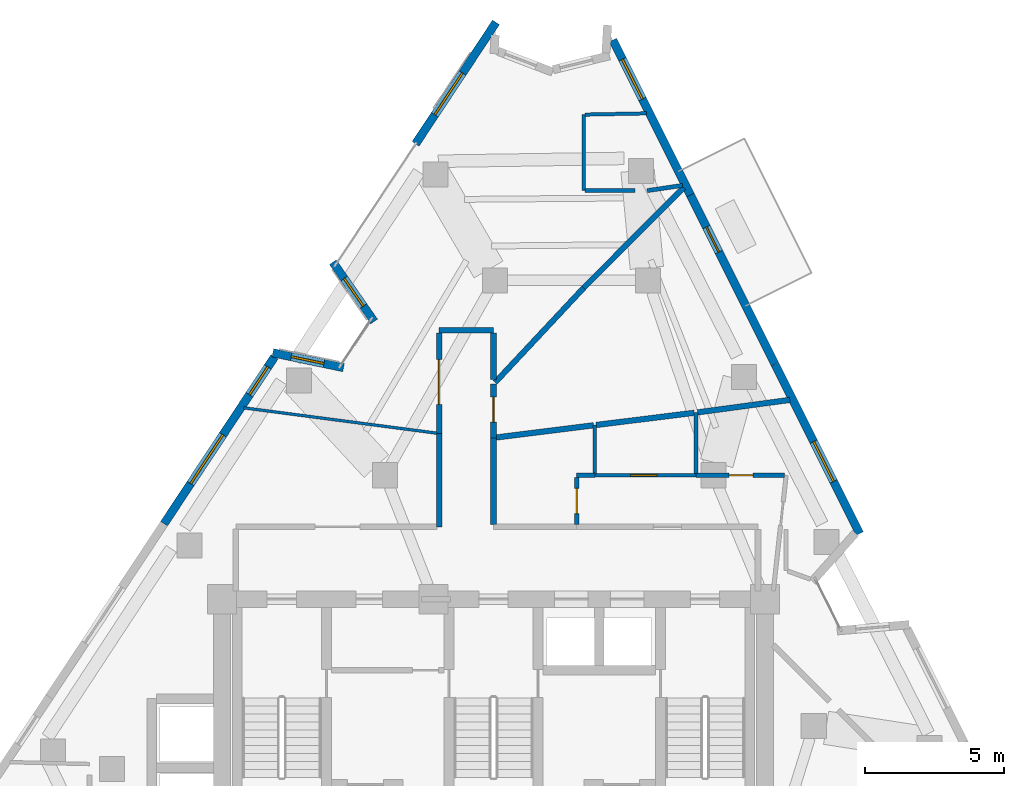
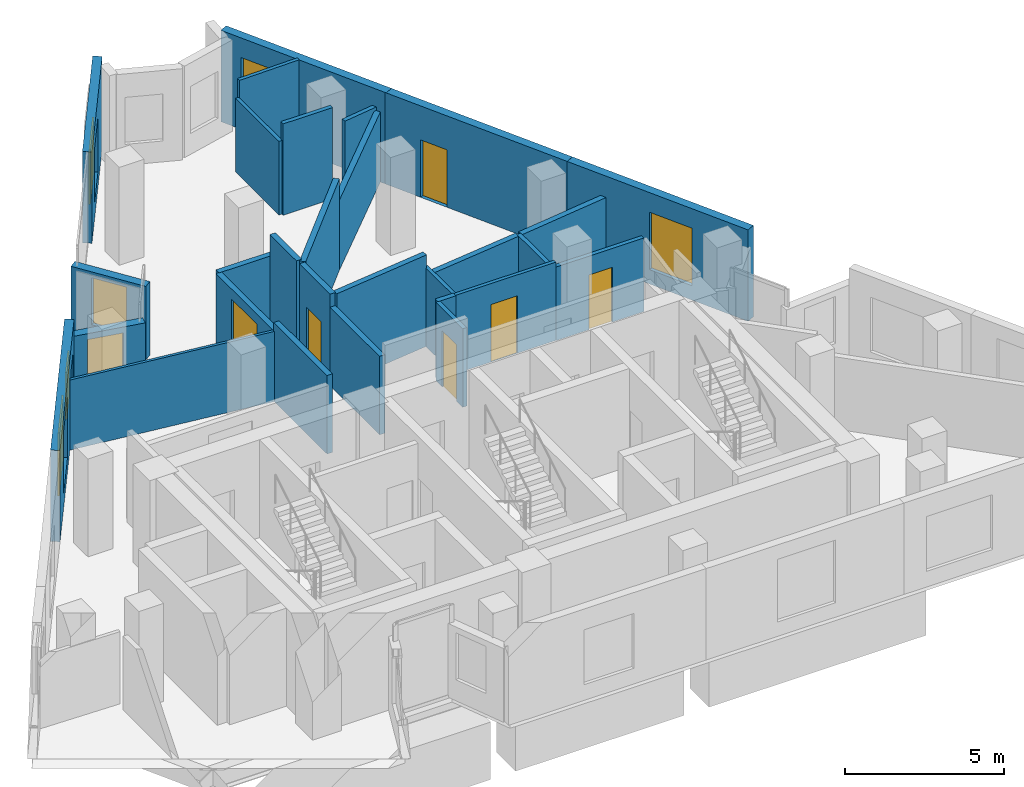
# One storey, part 7 of 9: 29 walls, 7 windows, 6 doors, 13 openings.
"""IFC4 building model written with IfcOpenShell, lengths in metres."""

from ifc_helpers import new_model, si_unit, direction, frame, frame_2d, origin, place, context, subcontext, project, spatial, rectangle, extrude, material, layer, layer_set, type_object, element, fill, save


model = new_model("IFC4")

# Units and contexts
model_context = context("Model", 3, precision=1e-05, world=origin(), true_north=direction((0.0, 1.0)))
body_context = subcontext(model_context, "Body", "Model", "MODEL_VIEW")
ifc_project = project(units=[si_unit("LENGTHUNIT", "METRE"), si_unit("AREAUNIT", "SQUARE_METRE"), si_unit("VOLUMEUNIT", "CUBIC_METRE"), si_unit("PLANEANGLEUNIT", "RADIAN"), si_unit("MASSUNIT", "GRAM", prefix="KILO")], contexts=[model_context])

# Site, building, storey
site_placement = place(None, origin())
site = spatial("IfcSite", under=ifc_project, at=site_placement, CompositionType="ELEMENT")
building_placement = place(site_placement, origin())
building = spatial("IfcBuilding", under=site, at=building_placement, Name="Almagre Mirador Tower", CompositionType="ELEMENT")
storey_placement = place(building_placement, frame((0.0, 0.0, 252.0)))
storey = spatial("IfcBuildingStorey", under=building, at=storey_placement, Name="L65", CompositionType="ELEMENT", Elevation=252.0)

# Wall, opening, window
ifc_material_1 = material(Name="Precast concrete C50/60", Category="concrete")
ifc_layer_1 = layer(ifc_material_1, 0.300048828125)
ifc_layer_set_1 = layer_set([ifc_layer_1], Name="Precast concrete C50/60")
wall_type_1 = type_object("IfcWallType", Name="WAL-EXT-300", PredefinedType="SOLIDWALL", material=ifc_layer_set_1)
wall_1_placement = place(storey_placement, frame((29.376953125, 23.59765625, 0.0), z_axis=(0.0, 0.0, 1.0), x_axis=(0.978710242367, -0.205246830635, 0.0)))
wall_1 = element("IfcWall", 1, at=wall_1_placement, inside=storey, type_object=wall_type_1, Name="L65 expressed almagre precast frame wall 01", PredefinedType="SOLIDWALL", context=body_context, shape_type="SweptSolid", body=[
    extrude(rectangle(XDim=2.59423828125, YDim=0.300048828125, at=frame_2d((1.297119140625, 0.0))), origin(), (0.0, 0.0, 1.0), 2.824951171875),
])
opening_1_placement = place(wall_1_placement, frame((0.675048828125, 0.0, 0.800048828125)))
opening_1 = element("IfcOpeningElement", 2, at=opening_1_placement, cuts=wall_1, Name="Opening WN-04", PredefinedType="OPENING", context=body_context, shape_type="SweptSolid", body=[
    extrude(rectangle(XDim=1.199951171875, YDim=1.800048828125, at=frame_2d((0.60009765625, 0.89990234375))), frame((0.0, 0.159902, 0.0), z_axis=(0.0, -1.0, 0.0), x_axis=(1.0, 0.0, 0.0)), (0.0, 0.0, 1.0), 0.320049),
])
ifc_material_2 = material(Name="Dark solar-control laminated hurricane glass", Category="glass")
window_type_1 = type_object("IfcWindowType", Name="WIN-1200X1800", PartitioningType="SINGLE_PANEL", PredefinedType="WINDOW", material=ifc_material_2)
window_1_placement = place(opening_1_placement, origin())
window_1 = element("IfcWindow", 3, at=window_1_placement, inside=storey, type_object=window_type_1, Name="L65 recessed hurricane window L65-RST-G", OverallHeight=1.800048828125, OverallWidth=1.199951171875, PartitioningType="SINGLE_PANEL", PredefinedType="WINDOW", context=body_context, shape_type="SweptSolid", body=[
    extrude(rectangle(XDim=1.199951171875, YDim=1.800048828125, at=frame_2d((0.60009765625, 0.89990234375))), frame((0.0, 0.030029296875, 0.0), z_axis=(0.0, -1.0, 0.0), x_axis=(1.0, 0.0, 0.0)), (0.0, 0.0, 1.0), 0.06005859375),
])
fill(opening_1, window_1)

wall_2_placement = place(storey_placement, frame((33.012939453125, 24.72216796875, 0.0), z_axis=(0.0, 0.0, 1.0), x_axis=(-0.570926598626, 0.821001107783, 0.0)))
wall_2 = element("IfcWall", 4, at=wall_2_placement, inside=storey, type_object=wall_type_1, Name="L65 expressed almagre precast frame wall 02", PredefinedType="SOLIDWALL", context=body_context, shape_type="SweptSolid", body=[
    extrude(rectangle(XDim=2.593994140625, YDim=0.300048828125, at=frame_2d((1.296875, 0.0))), origin(), (0.0, 0.0, 1.0), 2.824951171875),
])
opening_2_placement = place(wall_2_placement, frame((0.675048828125, 0.0, 0.800048828125)))
opening_2 = element("IfcOpeningElement", 5, at=opening_2_placement, cuts=wall_2, Name="Opening WN-04", PredefinedType="OPENING", context=body_context, shape_type="SweptSolid", body=[
    extrude(rectangle(XDim=1.199951171875, YDim=1.800048828125, at=frame_2d((0.60009765625, 0.89990234375))), frame((0.0, 0.159902, 0.0), z_axis=(0.0, -1.0, 0.0), x_axis=(1.0, 0.0, 0.0)), (0.0, 0.0, 1.0), 0.320049),
])
window_2_placement = place(opening_2_placement, origin())
window_2 = element("IfcWindow", 6, at=window_2_placement, inside=storey, type_object=window_type_1, Name="L65 recessed hurricane window L65-RST-G", OverallHeight=1.800048828125, OverallWidth=1.199951171875, PartitioningType="SINGLE_PANEL", PredefinedType="WINDOW", context=body_context, shape_type="SweptSolid", body=[
    extrude(rectangle(XDim=1.199951171875, YDim=1.800048828125, at=frame_2d((0.60009765625, 0.89990234375))), frame((0.0, 0.030029296875, 0.0), z_axis=(0.0, -1.0, 0.0), x_axis=(1.0, 0.0, 0.0)), (0.0, 0.0, 1.0), 0.06005859375),
])
fill(opening_2, window_2)

wall_3_placement = place(storey_placement, frame((34.501953125, 31.10107421875, 0.0), z_axis=(0.0, 0.0, 1.0), x_axis=(0.552157372899, 0.833739908816, 0.0)))
wall_3 = element("IfcWall", 7, at=wall_3_placement, inside=storey, type_object=wall_type_1, Name="L65 expressed almagre precast frame wall 03", PredefinedType="SOLIDWALL", context=body_context, shape_type="SweptSolid", body=[
    extrude(rectangle(XDim=5.234375, YDim=0.300048828125, at=frame_2d((2.6171875, 0.0))), origin(), (0.0, 0.0, 1.0), 3.5),
])
opening_3_placement = place(wall_3_placement, frame((1.25, 0.0, 0.60009765625)))
opening_3 = element("IfcOpeningElement", 8, at=opening_3_placement, cuts=wall_3, Name="Opening WN-01", PredefinedType="OPENING", context=body_context, shape_type="SweptSolid", body=[
    extrude(rectangle(XDim=1.800048828125, YDim=2.10009765625, at=frame_2d((0.89990234375, 1.050048828125))), frame((0.0, 0.159902, 0.0), z_axis=(0.0, -1.0, 0.0), x_axis=(1.0, 0.0, 0.0)), (0.0, 0.0, 1.0), 0.320049),
])
ifc_material_3 = material(Name="Dark solar-control laminated hurricane glass", Category="glass")
window_type_2 = type_object("IfcWindowType", Name="WIN-1800X2100", PartitioningType="DOUBLE_PANEL_VERTICAL", PredefinedType="WINDOW", material=ifc_material_3)
window_3_placement = place(opening_3_placement, origin())
window_3 = element("IfcWindow", 9, at=window_3_placement, inside=storey, type_object=window_type_2, Name="L65 recessed hurricane window L65-RST-G", OverallHeight=2.10009765625, OverallWidth=1.800048828125, PartitioningType="SINGLE_PANEL", PredefinedType="WINDOW", context=body_context, shape_type="SweptSolid", body=[
    extrude(rectangle(XDim=1.800048828125, YDim=2.10009765625, at=frame_2d((0.89990234375, 1.050048828125))), frame((0.0, 0.030029296875, 0.0), z_axis=(0.0, -1.0, 0.0), x_axis=(1.0, 0.0, 0.0)), (0.0, 0.0, 1.0), 0.06005859375),
])
fill(opening_3, window_3)

wall_4_placement = place(storey_placement, frame((41.587890625, 34.823974609375, 0.0), z_axis=(0.0, 0.0, 1.0), x_axis=(0.447245016671, -0.894411479725, 0.0)))
wall_4 = element("IfcWall", 10, at=wall_4_placement, inside=storey, type_object=wall_type_1, Name="L65 expressed almagre precast frame wall 08", PredefinedType="SOLIDWALL", context=body_context, shape_type="SweptSolid", body=[
    extrude(rectangle(XDim=6.2158203125, YDim=0.300048828125, at=frame_2d((3.10791015625, 0.0))), origin(), (0.0, 0.0, 1.0), 3.5),
])
opening_4_placement = place(wall_4_placement, frame((0.764892578125, 0.0, 0.550048828125)))
opening_4 = element("IfcOpeningElement", 11, at=opening_4_placement, cuts=wall_4, Name="Opening WN-06", PredefinedType="OPENING", context=body_context, shape_type="SweptSolid", body=[
    extrude(rectangle(XDim=1.60009765625, YDim=2.199951171875, at=frame_2d((0.800048828125, 1.10009765625))), frame((0.0, 0.159902, 0.0), z_axis=(0.0, -1.0, 0.0), x_axis=(1.0, 0.0, 0.0)), (0.0, 0.0, 1.0), 0.320049),
])
ifc_material_4 = material(Name="Dark solar-control laminated hurricane glass", Category="glass")
window_type_3 = type_object("IfcWindowType", Name="WIN-1600X2200", PartitioningType="DOUBLE_PANEL_VERTICAL", PredefinedType="WINDOW", material=ifc_material_4)
window_4_placement = place(opening_4_placement, origin())
window_4 = element("IfcWindow", 12, at=window_4_placement, inside=storey, type_object=window_type_3, Name="L65 recessed hurricane window L65-UJ-ST1", OverallHeight=2.199951171875, OverallWidth=1.60009765625, PartitioningType="SINGLE_PANEL", PredefinedType="WINDOW", context=body_context, shape_type="SweptSolid", body=[
    extrude(rectangle(XDim=1.60009765625, YDim=2.199951171875, at=frame_2d((0.800048828125, 1.10009765625))), frame((0.0, 0.030029296875, 0.0), z_axis=(0.0, -1.0, 0.0), x_axis=(1.0, 0.0, 0.0)), (0.0, 0.0, 1.0), 0.06005859375),
])
fill(opening_4, window_4)

# Wall, opening, door
wall_5_placement = place(storey_placement, frame((44.343994140625, 29.311767578125, 0.0), z_axis=(0.0, 0.0, 1.0), x_axis=(0.44722784404, -0.894420066588, 0.0)))
wall_5 = element("IfcWall", 13, at=wall_5_placement, inside=storey, type_object=wall_type_1, Name="L65 expressed almagre precast frame wall 09", PredefinedType="SOLIDWALL", context=body_context, shape_type="SweptSolid", body=[
    extrude(rectangle(XDim=6.853759765625, YDim=0.300048828125, at=frame_2d((3.4267578125, 0.0))), origin(), (0.0, 0.0, 1.0), 3.5),
])
opening_5_placement = place(wall_5_placement, frame((1.34521484375, 0.0, 0.0)))
opening_5 = element("IfcOpeningElement", 14, at=opening_5_placement, cuts=wall_5, Name="Opening BD-01", PredefinedType="OPENING", context=body_context, shape_type="SweptSolid", body=[
    extrude(rectangle(XDim=1.0, YDim=2.199951171875, at=frame_2d((0.5, 1.10009765625))), frame((0.0, 0.159902, 0.0), z_axis=(0.0, -1.0, 0.0), x_axis=(1.0, 0.0, 0.0)), (0.0, 0.0, 1.0), 0.320049),
])
ifc_material_5 = material(Name="Black anodized aluminium and laminated glass", Category="aluminium")
door_type_1 = type_object("IfcDoorType", Name="DOR-BAL-1000X2200", OperationType="NOTDEFINED", PredefinedType="DOOR", material=ifc_material_5)
door_1_placement = place(opening_5_placement, origin())
door_1 = element("IfcDoor", 15, at=door_1_placement, inside=storey, type_object=door_type_1, Name="DR-1989 L65 east balcony glazed door 1", OperationType="SINGLE_SWING_RIGHT", OverallHeight=2.199951171875, OverallWidth=1.0, PredefinedType="DOOR", context=body_context, shape_type="SweptSolid", body=[
    extrude(rectangle(XDim=1.0, YDim=2.199951171875, at=frame_2d((0.5, 1.10009765625))), frame((0.0, 0.02490234375, 0.0), z_axis=(0.0, -1.0, 0.0), x_axis=(1.0, 0.0, 0.0)), (0.0, 0.0, 1.0), 0.050048828125),
])
fill(opening_5, door_1)

# Wall, opening, window
wall_6_placement = place(storey_placement, frame((47.4091796875, 23.181640625, 0.0), z_axis=(0.0, 0.0, 1.0), x_axis=(0.447227954985, -0.894420011113, 0.0)))
wall_6 = element("IfcWall", 16, at=wall_6_placement, inside=storey, type_object=wall_type_1, Name="L65 expressed almagre precast frame wall 10", PredefinedType="SOLIDWALL", context=body_context, shape_type="SweptSolid", body=[
    extrude(rectangle(XDim=6.80078125, YDim=0.300048828125, at=frame_2d((3.400390625, 0.0))), origin(), (0.0, 0.0, 1.0), 3.5),
])
opening_6_placement = place(wall_6_placement, frame((3.10009765625, 0.0, 0.550048828125)))
opening_6 = element("IfcOpeningElement", 17, at=opening_6_placement, cuts=wall_6, Name="Opening WN-06", PredefinedType="OPENING", context=body_context, shape_type="SweptSolid", body=[
    extrude(rectangle(XDim=1.60009765625, YDim=2.199951171875, at=frame_2d((0.800048828125, 1.10009765625))), frame((0.0, 0.159902, 0.0), z_axis=(0.0, -1.0, 0.0), x_axis=(1.0, 0.0, 0.0)), (0.0, 0.0, 1.0), 0.320049),
])
window_5_placement = place(opening_6_placement, origin())
window_5 = element("IfcWindow", 18, at=window_5_placement, inside=storey, type_object=window_type_3, Name="L65 recessed hurricane window L65-UF-HB", OverallHeight=2.199951171875, OverallWidth=1.60009765625, PartitioningType="SINGLE_PANEL", PredefinedType="WINDOW", context=body_context, shape_type="SweptSolid", body=[
    extrude(rectangle(XDim=1.60009765625, YDim=2.199951171875, at=frame_2d((0.800048828125, 1.10009765625))), frame((0.0, 0.030029296875, 0.0), z_axis=(0.0, -1.0, 0.0), x_axis=(1.0, 0.0, 0.0)), (0.0, 0.0, 1.0), 0.06005859375),
])
fill(opening_6, window_5)

# Wall, openings, windows
wall_7_placement = place(storey_placement, frame((25.47119140625, 17.463134765625, 0.0), z_axis=(0.0, 0.0, 1.0), x_axis=(0.55208552879, 0.833787484255, 0.0)))
wall_7 = element("IfcWall", 19, at=wall_7_placement, inside=storey, type_object=wall_type_1, Name="L65 expressed almagre precast frame wall 32", PredefinedType="SOLIDWALL", context=body_context, shape_type="SweptSolid", body=[
    extrude(rectangle(XDim=7.182861328125, YDim=0.300048828125, at=frame_2d((3.59130859375, 0.0))), origin(), (0.0, 0.0, 1.0), 3.5),
])
opening_7_placement = place(wall_7_placement, frame((1.72509765625, 0.0, 0.550048828125)))
opening_7 = element("IfcOpeningElement", 20, at=opening_7_placement, cuts=wall_7, Name="Opening WN-05", PredefinedType="OPENING", context=body_context, shape_type="SweptSolid", body=[
    extrude(rectangle(XDim=2.10009765625, YDim=2.39990234375, at=frame_2d((1.050048828125, 1.199951171875))), frame((0.0, 0.159902, 0.0), z_axis=(0.0, -1.0, 0.0), x_axis=(1.0, 0.0, 0.0)), (0.0, 0.0, 1.0), 0.320049),
])
opening_8_placement = place(wall_7_placement, frame((5.550048828125, 0.0, 0.800048828125)))
opening_8 = element("IfcOpeningElement", 21, at=opening_8_placement, cuts=wall_7, Name="Opening WN-04", PredefinedType="OPENING", context=body_context, shape_type="SweptSolid", body=[
    extrude(rectangle(XDim=1.199951171875, YDim=1.800048828125, at=frame_2d((0.60009765625, 0.89990234375))), frame((0.0, 0.159902, 0.0), z_axis=(0.0, -1.0, 0.0), x_axis=(1.0, 0.0, 0.0)), (0.0, 0.0, 1.0), 0.320049),
])
window_6_placement = place(opening_8_placement, origin())
window_6 = element("IfcWindow", 22, at=window_6_placement, inside=storey, type_object=window_type_1, Name="L65 recessed hurricane window L65-RST-G", OverallHeight=1.800048828125, OverallWidth=1.199951171875, PartitioningType="SINGLE_PANEL", PredefinedType="WINDOW", context=body_context, shape_type="SweptSolid", body=[
    extrude(rectangle(XDim=1.199951171875, YDim=1.800048828125, at=frame_2d((0.60009765625, 0.89990234375))), frame((0.0, 0.030029296875, 0.0), z_axis=(0.0, -1.0, 0.0), x_axis=(1.0, 0.0, 0.0)), (0.0, 0.0, 1.0), 0.06005859375),
])
fill(opening_8, window_6)
ifc_material_6 = material(Name="Dark solar-control laminated hurricane glass", Category="glass")
window_type_4 = type_object("IfcWindowType", Name="WIN-2100X2400", PartitioningType="DOUBLE_PANEL_VERTICAL", PredefinedType="WINDOW", material=ifc_material_6)
window_7_placement = place(opening_7_placement, origin())
window_7 = element("IfcWindow", 23, at=window_7_placement, inside=storey, type_object=window_type_4, Name="L65 recessed hurricane window L65-RST-E", OverallHeight=2.39990234375, OverallWidth=2.10009765625, PartitioningType="SINGLE_PANEL", PredefinedType="WINDOW", context=body_context, shape_type="SweptSolid", body=[
    extrude(rectangle(XDim=2.10009765625, YDim=2.39990234375, at=frame_2d((1.050048828125, 1.199951171875))), frame((0.0, 0.030029296875, 0.0), z_axis=(0.0, -1.0, 0.0), x_axis=(1.0, 0.0, 0.0)), (0.0, 0.0, 1.0), 0.06005859375),
])
fill(opening_7, window_7)

# Wall
ifc_material_7 = material(Name="Gypsum acoustic stud partition", Category="other")
ifc_layer_2 = layer(ifc_material_7, 0.10009765625)
ifc_layer_set_2 = layer_set([ifc_layer_2], Name="Gypsum acoustic stud partition")
wall_type_2 = type_object("IfcWallType", Name="WAL-PRT-100-CLS", PredefinedType="PARTITIONING", material=ifc_layer_set_2)
wall_8_placement = place(storey_placement, frame((35.265625, 20.7109375, 0.0), z_axis=(0.0, 0.0, 1.0), x_axis=(-0.991486211261, 0.130211723279, 0.0)))
element("IfcWall", 24, at=wall_8_placement, inside=storey, type_object=wall_type_2, Name="L65 interior partition 029", PredefinedType="PARTITIONING", context=body_context, shape_type="SweptSolid", body=[
    extrude(rectangle(XDim=6.997314453125, YDim=0.10009765625, at=frame_2d((3.49853515625, 0.0))), origin(), (0.0, 0.0, 1.0), 2.68505859375),
])

# Wall, opening, door
ifc_material_8 = material(Name="Gypsum acoustic stud partition", Category="other")
ifc_layer_3 = layer(ifc_material_8, 0.125)
ifc_layer_set_3 = layer_set([ifc_layer_3], Name="Gypsum acoustic stud partition")
wall_type_3 = type_object("IfcWallType", Name="WAL-PRT-125-UTL", PredefinedType="PARTITIONING", material=ifc_layer_set_3)
wall_9_placement = place(storey_placement, frame((44.570068359375, 19.199951171875, 0.0), z_axis=(0.0, 0.0, 1.0), x_axis=(-1.0, 0.0, 0.0)))
wall_9 = element("IfcWall", 25, at=wall_9_placement, inside=storey, type_object=wall_type_3, Name="L65 interior partition 032", PredefinedType="PARTITIONING", context=body_context, shape_type="SweptSolid", body=[
    extrude(rectangle(XDim=3.630126953125, YDim=0.125, at=frame_2d((1.81494140625, 0.0))), origin(), (0.0, 0.0, 1.0), 3.0029296875),
])
opening_9_placement = place(wall_9_placement, frame((1.397216796875, 0.0, 0.0)))
opening_9 = element("IfcOpeningElement", 26, at=opening_9_placement, cuts=wall_9, Name="Opening UD-01", PredefinedType="OPENING", context=body_context, shape_type="SweptSolid", body=[
    extrude(rectangle(XDim=0.949951171875, YDim=2.199951171875, at=frame_2d((0.47509765625, 1.10009765625))), frame((0.0, 0.0725, 0.0), z_axis=(0.0, -1.0, 0.0), x_axis=(1.0, 0.0, 0.0)), (0.0, 0.0, 1.0), 0.145),
])
ifc_material_9 = material(Name="Solid American walnut timber", Category="wood")
door_type_2 = type_object("IfcDoorType", Name="DOR-UNR-950X2200", OperationType="NOTDEFINED", PredefinedType="DOOR", material=ifc_material_9)
door_2_placement = place(opening_9_placement, origin())
door_2 = element("IfcDoor", 27, at=door_2_placement, inside=storey, type_object=door_type_2, Name="DR-2000 L65 interior door L65-UF-LV to L65-UF-KT", OperationType="SINGLE_SWING_RIGHT", OverallHeight=2.199951171875, OverallWidth=0.949951171875, PredefinedType="DOOR", context=body_context, shape_type="SweptSolid", body=[
    extrude(rectangle(XDim=0.949951171875, YDim=2.199951171875, at=frame_2d((0.47509765625, 1.10009765625))), frame((0.0, 0.02490234375, 0.0), z_axis=(0.0, -1.0, 0.0), x_axis=(1.0, 0.0, 0.0)), (0.0, 0.0, 1.0), 0.050048828125),
])
fill(opening_9, door_2)

# Walls
wall_10_placement = place(storey_placement, frame((40.93994140625, 21.0, 0.0), z_axis=(0.0, 0.0, 1.0), x_axis=(0.0, -1.0, 0.0)))
element("IfcWall", 28, at=wall_10_placement, inside=storey, type_object=wall_type_3, Name="L65 interior partition 037", PredefinedType="PARTITIONING", context=body_context, shape_type="SweptSolid", body=[
    extrude(rectangle(XDim=1.75244140625, YDim=0.125, at=frame_2d((0.876220703125, 0.0))), origin(), (0.0, 0.0, 1.0), 3.0029296875),
])
wall_11_placement = place(storey_placement, frame((40.5400390625, 29.419921875, 0.0), z_axis=(0.0, 0.0, 1.0), x_axis=(0.0, 1.0, 0.0)))
element("IfcWall", 29, at=wall_11_placement, inside=storey, type_object=wall_type_3, Name="L65 interior partition 045", PredefinedType="PARTITIONING", context=body_context, shape_type="SweptSolid", body=[
    extrude(rectangle(XDim=2.72998046875, YDim=0.125, at=frame_2d((1.364990234375, 0.0))), origin(), (0.0, 0.0, 1.0), 2.820068359375),
])
wall_12_placement = place(storey_placement, frame((42.7890625, 32.195068359375, 0.0), z_axis=(0.0, 0.0, 1.0), x_axis=(-0.999798638934, -0.020066927661, 0.0)))
element("IfcWall", 30, at=wall_12_placement, inside=storey, type_object=wall_type_3, Name="L65 interior partition 050", PredefinedType="PARTITIONING", context=body_context, shape_type="SweptSolid", body=[
    extrude(rectangle(XDim=2.2021484375, YDim=0.125, at=frame_2d((1.10107421875, 0.0))), origin(), (0.0, 0.0, 1.0), 3.5),
])

# Wall, opening, door
ifc_material_10 = material(Name="Gypsum acoustic stud partition", Category="other")
ifc_layer_4 = layer(ifc_material_10, 0.14990234375)
ifc_layer_set_4 = layer_set([ifc_layer_4], Name="Gypsum acoustic stud partition")
wall_type_4 = type_object("IfcWallType", Name="WAL-PRT-150-STD", PredefinedType="PARTITIONING", material=ifc_layer_set_4)
wall_13_placement = place(storey_placement, frame((47.75, 19.199951171875, 0.0), z_axis=(0.0, 0.0, 1.0), x_axis=(-1.0, 0.0, 0.0)))
wall_13 = element("IfcWall", 31, at=wall_13_placement, inside=storey, type_object=wall_type_4, Name="L65 interior partition 031", PredefinedType="PARTITIONING", context=body_context, shape_type="SweptSolid", body=[
    extrude(rectangle(XDim=3.179931640625, YDim=0.14990234375, at=frame_2d((1.58984375, 0.0))), origin(), (0.0, 0.0, 1.0), 2.820068359375),
])
opening_10_placement = place(wall_13_placement, frame((1.135009765625, 0.0, 0.0)))
opening_10 = element("IfcOpeningElement", 32, at=opening_10_placement, cuts=wall_13, Name="Opening UD-04", PredefinedType="OPENING", context=body_context, shape_type="SweptSolid", body=[
    extrude(rectangle(XDim=0.85009765625, YDim=2.10009765625, at=frame_2d((0.425048828125, 1.050048828125))), frame((0.0, 0.084951, 0.0), z_axis=(0.0, -1.0, 0.0), x_axis=(1.0, 0.0, 0.0)), (0.0, 0.0, 1.0), 0.169902),
])
ifc_material_11 = material(Name="Moisture-resistant oak timber", Category="wood")
door_type_3 = type_object("IfcDoorType", Name="DOR-UNR-850X2100", OperationType="NOTDEFINED", PredefinedType="DOOR", material=ifc_material_11)
door_3_placement = place(opening_10_placement, origin())
door_3 = element("IfcDoor", 33, at=door_3_placement, inside=storey, type_object=door_type_3, Name="DR-2003 L65 interior door L65-UF-HB to L65-UF-LV", OperationType="SINGLE_SWING_LEFT", OverallHeight=2.10009765625, OverallWidth=0.85009765625, PredefinedType="DOOR", context=body_context, shape_type="SweptSolid", body=[
    extrude(rectangle(XDim=0.85009765625, YDim=2.10009765625, at=frame_2d((0.425048828125, 1.050048828125))), frame((0.0, 0.02490234375, 0.0), z_axis=(0.0, -1.0, 0.0), x_axis=(1.0, 0.0, 0.0)), (0.0, 0.0, 1.0), 0.050048828125),
])
fill(opening_10, door_3)

wall_14_placement = place(storey_placement, frame((40.2900390625, 19.12744140625, 0.0), z_axis=(0.0, 0.0, 1.0), x_axis=(0.0, -1.0, 0.0)))
wall_14 = element("IfcWall", 34, at=wall_14_placement, inside=storey, type_object=wall_type_4, Name="L65 interior partition 034", PredefinedType="PARTITIONING", context=body_context, shape_type="SweptSolid", body=[
    extrude(rectangle(XDim=1.6923828125, YDim=0.14990234375, at=frame_2d((0.84619140625, 0.0))), origin(), (0.0, 0.0, 1.0), 3.0029296875),
])
opening_11_placement = place(wall_14_placement, frame((0.402587890625, 0.0, 0.0)))
opening_11 = element("IfcOpeningElement", 35, at=opening_11_placement, cuts=wall_14, Name="Opening UD-02", PredefinedType="OPENING", context=body_context, shape_type="SweptSolid", body=[
    extrude(rectangle(XDim=0.89990234375, YDim=2.14990234375, at=frame_2d((0.449951171875, 1.074951171875))), frame((0.0, 0.084951, 0.0), z_axis=(0.0, -1.0, 0.0), x_axis=(1.0, 0.0, 0.0)), (0.0, 0.0, 1.0), 0.169902),
])
ifc_material_12 = material(Name="Solid American walnut timber", Category="wood")
door_type_4 = type_object("IfcDoorType", Name="DOR-UNR-900X2150", OperationType="NOTDEFINED", PredefinedType="DOOR", material=ifc_material_12)
door_4_placement = place(opening_11_placement, origin())
door_4 = element("IfcDoor", 36, at=door_4_placement, inside=storey, type_object=door_type_4, Name="DR-2002 L65 interior door L65-UF-LV to L65-UF-MB", OperationType="SINGLE_SWING_RIGHT", OverallHeight=2.14990234375, OverallWidth=0.89990234375, PredefinedType="DOOR", context=body_context, shape_type="SweptSolid", body=[
    extrude(rectangle(XDim=0.89990234375, YDim=2.14990234375, at=frame_2d((0.449951171875, 1.074951171875))), frame((0.0, 0.02490234375, 0.0), z_axis=(0.0, -1.0, 0.0), x_axis=(1.0, 0.0, 0.0)), (0.0, 0.0, 1.0), 0.050048828125),
])
fill(opening_11, door_4)

# Walls
wall_15_placement = place(storey_placement, frame((44.570068359375, 21.449951171875, 0.0), z_axis=(0.0, 0.0, 1.0), x_axis=(0.0, -1.0, 0.0)))
element("IfcWall", 37, at=wall_15_placement, inside=storey, type_object=wall_type_4, Name="L65 interior partition 035", PredefinedType="PARTITIONING", context=body_context, shape_type="SweptSolid", body=[
    extrude(rectangle(XDim=2.18994140625, YDim=0.14990234375, at=frame_2d((1.094970703125, 0.0))), origin(), (0.0, 0.0, 1.0), 2.68505859375),
])
wall_16_placement = place(storey_placement, frame((42.3798828125, 29.419921875, 0.0), z_axis=(0.0, 0.0, 1.0), x_axis=(-1.0, 0.0, 0.0)))
element("IfcWall", 38, at=wall_16_placement, inside=storey, type_object=wall_type_4, Name="L65 interior partition 048", PredefinedType="PARTITIONING", context=body_context, shape_type="SweptSolid", body=[
    extrude(rectangle(XDim=1.79248046875, YDim=0.14990234375, at=frame_2d((0.896240234375, 0.0))), origin(), (0.0, 0.0, 1.0), 3.5),
])
wall_17_placement = place(storey_placement, frame((44.091064453125, 29.60888671875, 0.0), z_axis=(0.0, 0.0, 1.0), x_axis=(-0.989127842111, -0.147058192431, 0.0)))
element("IfcWall", 39, at=wall_17_placement, inside=storey, type_object=wall_type_4, Name="L65 interior partition 049", PredefinedType="PARTITIONING", context=body_context, shape_type="SweptSolid", body=[
    extrude(rectangle(XDim=1.284912109375, YDim=0.14990234375, at=frame_2d((0.642578125, 0.0))), origin(), (0.0, 0.0, 1.0), 2.820068359375),
])
ifc_material_13 = material(Name="Gypsum acoustic stud partition", Category="other")
ifc_layer_5 = layer(ifc_material_13, 0.175048828125)
ifc_layer_set_5 = layer_set([ifc_layer_5], Name="Gypsum acoustic stud partition")
wall_type_5 = type_object("IfcWallType", Name="WAL-PRT-175-AC", PredefinedType="PARTITIONING", material=ifc_layer_set_5)
wall_18_placement = place(storey_placement, frame((40.93994140625, 19.199951171875, 0.0), z_axis=(0.0, 0.0, 1.0), x_axis=(-1.0, 0.0, 0.0)))
element("IfcWall", 40, at=wall_18_placement, inside=storey, type_object=wall_type_5, Name="L65 interior partition 033", PredefinedType="PARTITIONING", context=body_context, shape_type="SweptSolid", body=[
    extrude(rectangle(XDim=0.64990234375, YDim=0.175048828125, at=frame_2d((0.324951171875, 0.0))), origin(), (0.0, 0.0, 1.0), 3.0029296875),
])
ifc_material_14 = material(Name="Gypsum acoustic stud partition", Category="other")
ifc_layer_6 = layer(ifc_material_14, 0.199951171875)
ifc_layer_set_6 = layer_set([ifc_layer_6], Name="Gypsum acoustic stud partition")
wall_type_6 = type_object("IfcWallType", Name="WAL-PRT-200-EI60", PredefinedType="PARTITIONING", material=ifc_layer_set_6)
wall_19_placement = place(storey_placement, frame((35.35009765625, 20.699951171875, 0.0), z_axis=(0.0, 0.0, 1.0), x_axis=(0.0, -1.0, 0.0)))
element("IfcWall", 41, at=wall_19_placement, inside=storey, type_object=wall_type_6, Name="L65 interior partition 002", PredefinedType="PARTITIONING", context=body_context, shape_type="SweptSolid", body=[
    extrude(rectangle(XDim=3.349853515625, YDim=0.199951171875, at=frame_2d((1.6748046875, 0.0))), origin(), (0.0, 0.0, 1.0), 3.0029296875),
])
wall_20_placement = place(storey_placement, frame((37.300048828125, 17.43505859375, 0.0), z_axis=(0.0, 0.0, 1.0), x_axis=(0.0, 1.0, 0.0)))
element("IfcWall", 42, at=wall_20_placement, inside=storey, type_object=wall_type_6, Name="L65 interior partition 008", PredefinedType="PARTITIONING", context=body_context, shape_type="SweptSolid", body=[
    extrude(rectangle(XDim=3.10498046875, YDim=0.199951171875, at=frame_2d((1.552490234375, 0.0))), origin(), (0.0, 0.0, 1.0), 3.0029296875),
])
wall_21_placement = place(storey_placement, frame((37.300048828125, 24.39990234375, 0.0), z_axis=(0.0, 0.0, 1.0), x_axis=(-1.0, 0.0, 0.0)))
element("IfcWall", 43, at=wall_21_placement, inside=storey, type_object=wall_type_6, Name="L65 interior partition 009", PredefinedType="PARTITIONING", context=body_context, shape_type="SweptSolid", body=[
    extrude(rectangle(XDim=1.949951171875, YDim=0.199951171875, at=frame_2d((0.97509765625, 0.0))), origin(), (0.0, 0.0, 1.0), 2.68505859375),
])

# Wall, opening, door
wall_22_placement = place(storey_placement, frame((35.35009765625, 24.31494140625, 0.0), z_axis=(0.0, 0.0, 1.0), x_axis=(0.0, -1.0, 0.0)))
wall_22 = element("IfcWall", 44, at=wall_22_placement, inside=storey, type_object=wall_type_6, Name="L65 interior partition 010", PredefinedType="PARTITIONING", context=body_context, shape_type="SweptSolid", body=[
    extrude(rectangle(XDim=3.614990234375, YDim=0.199951171875, at=frame_2d((1.8076171875, 0.0))), origin(), (0.0, 0.0, 1.0), 2.68505859375),
])
opening_12_placement = place(wall_22_placement, frame((0.965087890625, 0.0, 0.0)))
opening_12 = element("IfcOpeningElement", 45, at=opening_12_placement, cuts=wall_22, Name="Opening ID-05", PredefinedType="OPENING", context=body_context, shape_type="SweptSolid", body=[
    extrude(rectangle(XDim=1.60009765625, YDim=2.300048828125, at=frame_2d((0.800048828125, 1.14990234375))), frame((0.0, 0.110098, 0.0), z_axis=(0.0, -1.0, 0.0), x_axis=(1.0, 0.0, 0.0)), (0.0, 0.0, 1.0), 0.219951),
])
ifc_material_15 = material(Name="Fire-rated acoustic timber", Category="wood")
door_type_5 = type_object("IfcDoorType", Name="DOR-FD60-1600X2300", OperationType="DOUBLE_DOOR_SINGLE_SWING", PredefinedType="DOOR", material=ifc_material_15)
door_5_placement = place(opening_12_placement, origin())
door_5 = element("IfcDoor", 46, at=door_5_placement, inside=storey, type_object=door_type_5, Name="DR-1997 L65 interior door L65-RCOR to L65-RST-G", OperationType="DOUBLE_DOOR_SINGLE_SWING", OverallHeight=2.300048828125, OverallWidth=1.60009765625, PredefinedType="DOOR", context=body_context, shape_type="SweptSolid", body=[
    extrude(rectangle(XDim=1.60009765625, YDim=2.300048828125, at=frame_2d((0.800048828125, 1.14990234375))), frame((0.0, 0.02490234375, 0.0), z_axis=(0.0, -1.0, 0.0), x_axis=(1.0, 0.0, 0.0)), (0.0, 0.0, 1.0), 0.050048828125),
])
fill(opening_12, door_5)

wall_23_placement = place(storey_placement, frame((37.300048828125, 22.469970703125, 0.0), z_axis=(0.0, 0.0, 1.0), x_axis=(0.0, -1.0, 0.0)))
wall_23 = element("IfcWall", 47, at=wall_23_placement, inside=storey, type_object=wall_type_6, Name="L65 interior partition 011", PredefinedType="PARTITIONING", context=body_context, shape_type="SweptSolid", body=[
    extrude(rectangle(XDim=1.929931640625, YDim=0.199951171875, at=frame_2d((0.96484375, 0.0))), origin(), (0.0, 0.0, 1.0), 3.5),
])
opening_13_placement = place(wall_23_placement, frame((0.46142578125, 0.0, 0.0)))
opening_13 = element("IfcOpeningElement", 48, at=opening_13_placement, cuts=wall_23, Name="Opening ID-03", PredefinedType="OPENING", context=body_context, shape_type="SweptSolid", body=[
    extrude(rectangle(XDim=0.89990234375, YDim=2.10009765625, at=frame_2d((0.449951171875, 1.050048828125))), frame((0.0, 0.110098, 0.0), z_axis=(0.0, -1.0, 0.0), x_axis=(1.0, 0.0, 0.0)), (0.0, 0.0, 1.0), 0.219951),
])
ifc_material_16 = material(Name="Fire-rated hollow steel", Category="steel")
door_type_6 = type_object("IfcDoorType", Name="DOR-FD60-900X2100", OperationType="NOTDEFINED", PredefinedType="DOOR", material=ifc_material_16)
door_6_placement = place(opening_13_placement, origin())
door_6 = element("IfcDoor", 49, at=door_6_placement, inside=storey, type_object=door_type_6, Name="DR-1998 L65 interior door L65-RCOR to L65-RST-H", OperationType="SINGLE_SWING_RIGHT", OverallHeight=2.10009765625, OverallWidth=0.89990234375, PredefinedType="DOOR", context=body_context, shape_type="SweptSolid", body=[
    extrude(rectangle(XDim=0.89990234375, YDim=2.10009765625, at=frame_2d((0.449951171875, 1.050048828125))), frame((0.0, 0.02490234375, 0.0), z_axis=(0.0, -1.0, 0.0), x_axis=(1.0, 0.0, 0.0)), (0.0, 0.0, 1.0), 0.050048828125),
])
fill(opening_13, door_6)

# Walls
wall_24_placement = place(storey_placement, frame((37.300048828125, 22.64501953125, 0.0), z_axis=(0.0, 0.0, 1.0), x_axis=(0.0, 1.0, 0.0)))
element("IfcWall", 50, at=wall_24_placement, inside=storey, type_object=wall_type_6, Name="L65 interior partition 012", PredefinedType="PARTITIONING", context=body_context, shape_type="SweptSolid", body=[
    extrude(rectangle(XDim=1.669921875, YDim=0.199951171875, at=frame_2d((0.8349609375, 0.0))), origin(), (0.0, 0.0, 1.0), 3.5),
])
wall_25_placement = place(storey_placement, frame((47.943115234375, 21.906005859375, 0.0), z_axis=(0.0, 0.0, 1.0), x_axis=(-0.99097487628, -0.134047732473, 0.0)))
element("IfcWall", 51, at=wall_25_placement, inside=storey, type_object=wall_type_6, Name="L65 interior partition 036", PredefinedType="PARTITIONING", context=body_context, shape_type="SweptSolid", body=[
    extrude(rectangle(XDim=3.343994140625, YDim=0.199951171875, at=frame_2d((1.671875, 0.0))), origin(), (0.0, 0.0, 1.0), 2.68505859375),
])
wall_26_placement = place(storey_placement, frame((44.510498046875, 21.442626953125, 0.0), z_axis=(0.0, 0.0, 1.0), x_axis=(-0.992404306197, -0.123019075928, 0.0)))
element("IfcWall", 52, at=wall_26_placement, inside=storey, type_object=wall_type_6, Name="L65 interior partition 038", PredefinedType="PARTITIONING", context=body_context, shape_type="SweptSolid", body=[
    extrude(rectangle(XDim=3.55029296875, YDim=0.199951171875, at=frame_2d((1.775146484375, 0.0))), origin(), (0.0, 0.0, 1.0), 2.68505859375),
])
wall_27_placement = place(storey_placement, frame((40.892822265625, 20.994140625, 0.0), z_axis=(0.0, 0.0, 1.0), x_axis=(-0.99223214051, -0.124400077729, 0.0)))
element("IfcWall", 53, at=wall_27_placement, inside=storey, type_object=wall_type_6, Name="L65 interior partition 039", PredefinedType="PARTITIONING", context=body_context, shape_type="SweptSolid", body=[
    extrude(rectangle(XDim=3.53662109375, YDim=0.199951171875, at=frame_2d((1.768310546875, 0.0))), origin(), (0.0, 0.0, 1.0), 3.5),
])
wall_28_placement = place(storey_placement, frame((40.5400390625, 25.929931640625, 0.0), z_axis=(0.0, 0.0, 1.0), x_axis=(-0.683518835616, -0.729932874557, 0.0)))
element("IfcWall", 54, at=wall_28_placement, inside=storey, type_object=wall_type_6, Name="L65 interior partition 042", PredefinedType="PARTITIONING", context=body_context, shape_type="SweptSolid", body=[
    extrude(rectangle(XDim=4.6552734375, YDim=0.199951171875, at=frame_2d((2.32763671875, 0.0))), origin(), (0.0, 0.0, 1.0), 3.5),
])
wall_29_placement = place(storey_placement, frame((44.1298828125, 29.531982421875, 0.0), z_axis=(0.0, 0.0, 1.0), x_axis=(-0.705905569531, -0.708305955717, 0.0)))
element("IfcWall", 55, at=wall_29_placement, inside=storey, type_object=wall_type_6, Name="L65 interior partition 043", PredefinedType="PARTITIONING", context=body_context, shape_type="SweptSolid", body=[
    extrude(rectangle(XDim=5.08544921875, YDim=0.199951171875, at=frame_2d((2.542724609375, 0.0))), origin(), (0.0, 0.0, 1.0), 2.68505859375),
])

save(model, "model.ifc")
